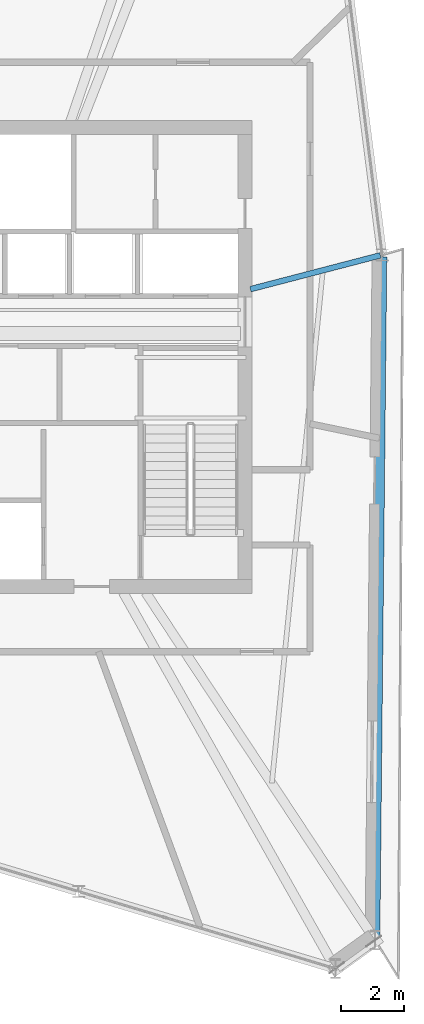
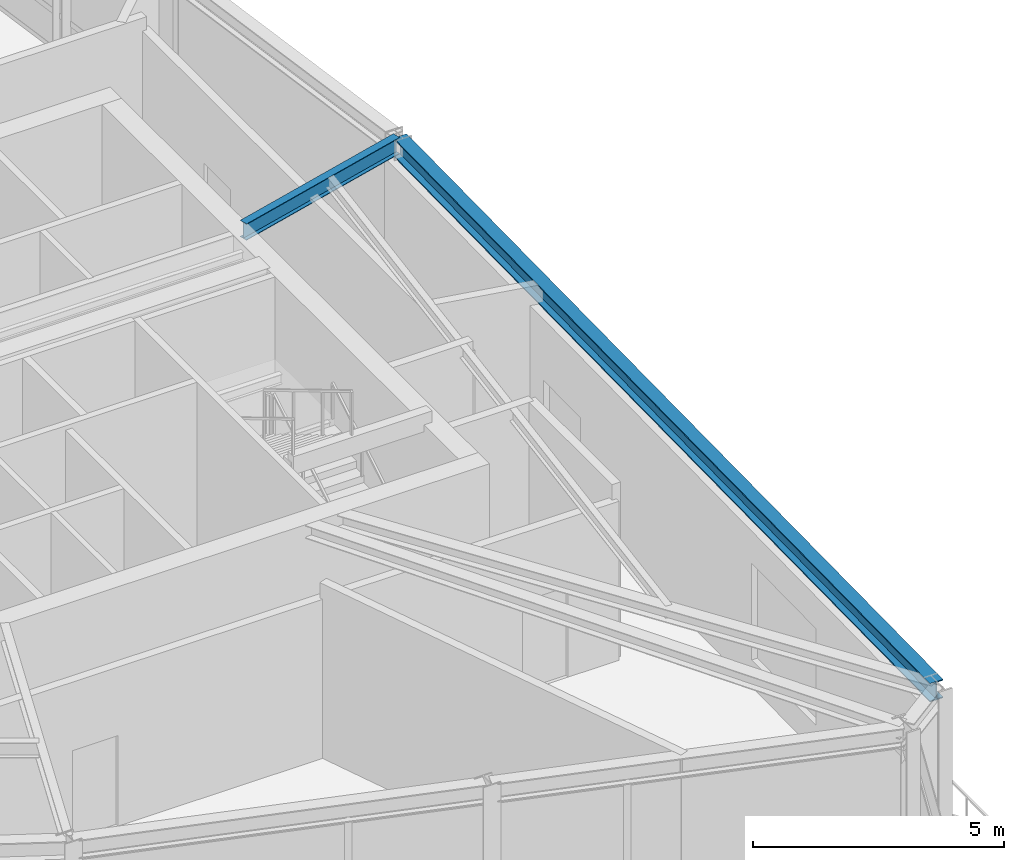
# One storey, part 10 of 23: 2 beams.
"""IFC4 building model written with IfcOpenShell, lengths in metres."""

from ifc_helpers import new_model, si_unit, direction, frame, origin, origin_2d, place, context, subcontext, project, spatial, i_section, extrude, source, transform, mapped, material, material_profile, profile_set, type_object, element, save


model = new_model("IFC4")

# Units and contexts
model_context = context("Model", 3, precision=1e-05, world=origin(), true_north=direction((0.0, 1.0)))
body_context = subcontext(model_context, "Body", "Model", "MODEL_VIEW")
ifc_project = project(units=[si_unit("LENGTHUNIT", "METRE"), si_unit("AREAUNIT", "SQUARE_METRE"), si_unit("VOLUMEUNIT", "CUBIC_METRE"), si_unit("PLANEANGLEUNIT", "RADIAN"), si_unit("MASSUNIT", "GRAM", prefix="KILO")], contexts=[model_context])

# Site, building, storey
site_placement = place(None, origin())
site = spatial("IfcSite", under=ifc_project, at=site_placement, CompositionType="ELEMENT")
building_placement = place(site_placement, origin())
building = spatial("IfcBuilding", under=site, at=building_placement, Name="Olszyna Solenne Hotel", CompositionType="ELEMENT")
storey_placement = place(building_placement, frame((0.0, 0.0, 290.5)))
storey = spatial("IfcBuildingStorey", under=building, at=storey_placement, Name="L77", CompositionType="ELEMENT", Elevation=290.5)

# Beams
ifc_material = material(Name="Steel S355J2", Category="steel")
ifc_material_profile_1 = material_profile(ifc_material, i_section(OverallWidth=0.300048828125, OverallDepth=0.449951171875, WebThickness=0.013916015625, FlangeThickness=0.02587890625, at=origin_2d()), Name="HEB 450", Category="load-bearing")
ifc_profile_set_1 = profile_set([ifc_material_profile_1], Name="Steel S355J2")
beam_type_1 = type_object("IfcBeamType", Name="BM-S4", PredefinedType="BEAM", material=ifc_profile_set_1)
shared_shape_1 = source(origin(), body_context, "Body", "SweptSolid", [
    extrude(i_section(OverallWidth=0.300048828125, OverallDepth=0.449951171875, WebThickness=0.013916015625, FlangeThickness=0.02587890625, at=origin_2d()), origin(), (0.0, 0.0, 1.0), 21.74072265625),
])
beam_1_placement = place(storey_placement, frame((50.279541015625, 8.05712890625, 4.014892578125), z_axis=(0.010207789773, 0.999947899157, 0.0), x_axis=(-0.999947899157, 0.010207789773, 0.0)))
element("IfcBeam", 1, at=beam_1_placement, inside=storey, type_object=beam_type_1, Name="Perimeter spandrel beam BM-S4 B-L77-2261", PredefinedType="BEAM", context=body_context, shape_type="MappedRepresentation", body=[
    mapped(shared_shape_1, transform((0.0, 0.0, 0.0), x_axis=(1.0, 0.0, 0.0), y_axis=(0.0, 1.0, 0.0), z_axis=(0.0, 0.0, 1.0), scale=1.0)),
])
ifc_material_profile_2 = material_profile(ifc_material, i_section(OverallWidth=0.179931640625, OverallDepth=0.39990234375, WebThickness=0.008544921875, FlangeThickness=0.013427734375, at=origin_2d()), Name="IPE 400", Category="load-bearing")
ifc_profile_set_2 = profile_set([ifc_material_profile_2], Name="Steel S355J2")
beam_type_2 = type_object("IfcBeamType", Name="BM-F5", PredefinedType="BEAM", material=ifc_profile_set_2)
shared_shape_2 = source(origin(), body_context, "Body", "SweptSolid", [
    extrude(i_section(OverallWidth=0.179931640625, OverallDepth=0.39990234375, WebThickness=0.008544921875, FlangeThickness=0.013427734375, at=origin_2d()), origin(), (0.0, 0.0, 1.0), 4.28076171875),
])
beam_2_placement = place(storey_placement, frame((50.444091796875, 29.841552734375, 4.0400390625), z_axis=(-0.967706846402, -0.252078280357, 0.0), x_axis=(0.252078280357, -0.967706846402, 0.0)))
element("IfcBeam", 2, at=beam_2_placement, inside=storey, type_object=beam_type_2, Name="Radial floor girder BM-F5 B-L77-2272", PredefinedType="BEAM", context=body_context, shape_type="MappedRepresentation", body=[
    mapped(shared_shape_2, transform((0.0, 0.0, 0.0), x_axis=(1.0, 0.0, 0.0), y_axis=(0.0, 1.0, 0.0), z_axis=(0.0, 0.0, 1.0), scale=1.0)),
])

save(model, "model.ifc")
